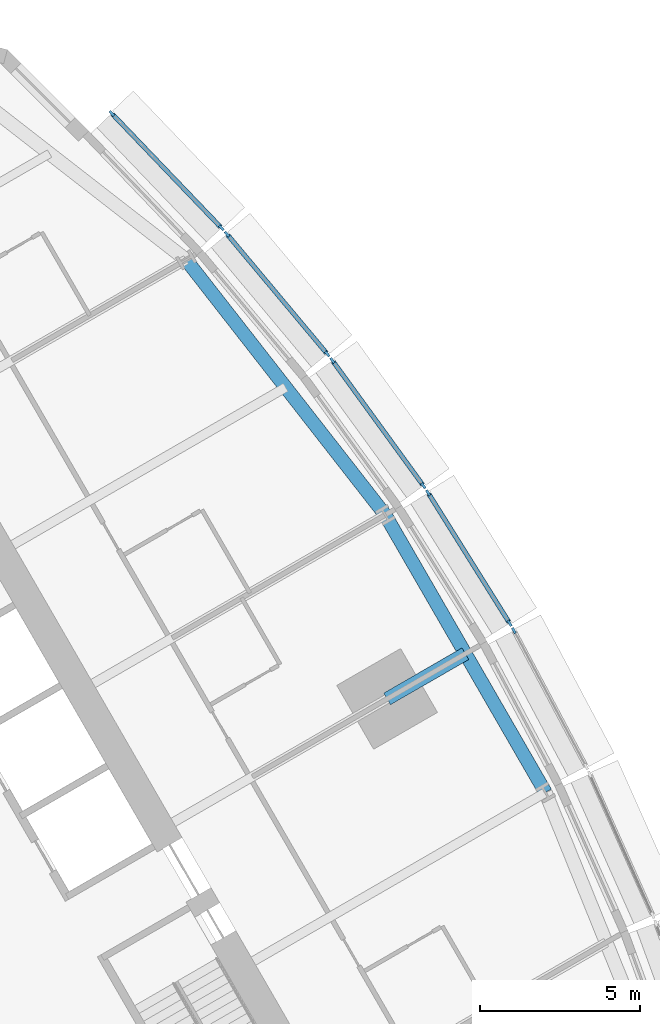
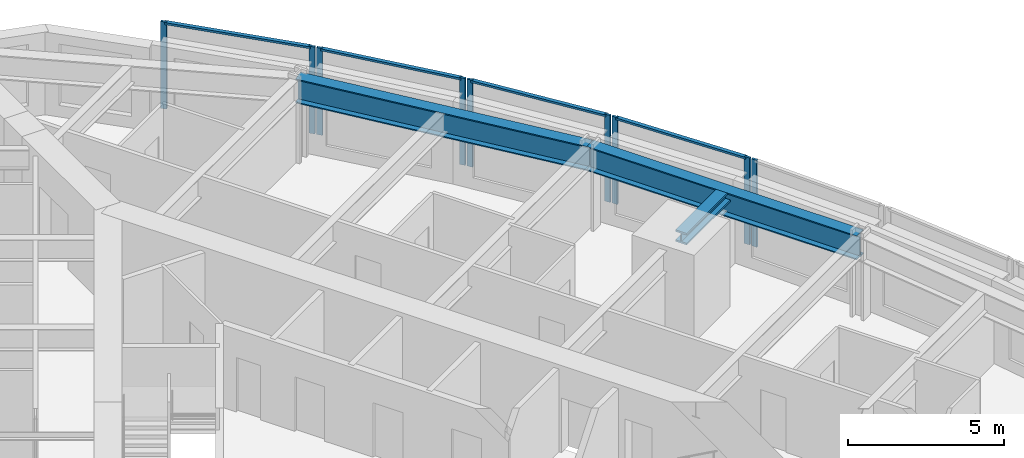
# One storey, part 5 of 14: 13 members, 3 beams, 5 elements without a shape of their own.
"""IFC4 building model written with IfcOpenShell, lengths in metres."""

from ifc_helpers import new_model, si_unit, direction, frame, origin, origin_2d, place, context, subcontext, project, spatial, rectangle, i_section, extrude, material, material_profile, profile_set, type_object, element, aggregate, save


model = new_model("IFC4")

# Units and contexts
model_context = context("Model", 3, precision=1e-05, world=origin(), true_north=direction((0.0, 1.0)))
body_context = subcontext(model_context, "Body", "Model", "MODEL_VIEW")
ifc_project = project(units=[si_unit("LENGTHUNIT", "METRE"), si_unit("AREAUNIT", "SQUARE_METRE"), si_unit("VOLUMEUNIT", "CUBIC_METRE"), si_unit("PLANEANGLEUNIT", "RADIAN"), si_unit("MASSUNIT", "GRAM", prefix="KILO")], contexts=[model_context])

# Site, building, storey
site_placement = place(None, origin())
site = spatial("IfcSite", under=ifc_project, at=site_placement, CompositionType="ELEMENT")
building_placement = place(site_placement, origin())
building = spatial("IfcBuilding", under=site, at=building_placement, Name="Trikona Tower", CompositionType="ELEMENT")
storey_placement = place(building_placement, frame((0.0, 0.0, 124.89990234375)))
storey = spatial("IfcBuildingStorey", under=building, at=storey_placement, Name="L32", CompositionType="ELEMENT", Elevation=124.89990234375)

# Curtain wall, member
ifc_material_1 = material(Name="Aluminium curtain wall system", Category="aluminium")
curtain_wall_type = type_object("IfcCurtainWallType", Name="Curtain wall DS2", PredefinedType="NOTDEFINED", material=ifc_material_1)
curtain_wall_1_placement = place(storey_placement, origin())
curtain_wall_1 = element("IfcCurtainWall", 1, at=curtain_wall_1_placement, inside=storey, type_object=curtain_wall_type, Name="Curtain wall DS2 L32", PredefinedType="NOTDEFINED")
ifc_material_2 = material(Name="Aluminium mullion, pale anodised", Category="aluminium")
ifc_material_profile_1 = material_profile(ifc_material_2, rectangle(XDim=0.080078125, YDim=0.199951171875, at=origin_2d()), Name="MUL-DS2")
ifc_profile_set_1 = profile_set([ifc_material_profile_1], Name="Aluminium mullion, pale anodised")
member_type_1 = type_object("IfcMemberType", Name="Mullion DS2 80x200", PredefinedType="MULLION", material=ifc_profile_set_1)
member_1_placement = place(storey_placement, frame((19.2666015625, 10.9716796875, 0.0), z_axis=(0.0, 0.0, 1.0), x_axis=(-0.882996107343, -0.469380308937, 0.0)))
member_1 = element("IfcMember", 2, at=member_1_placement, type_object=member_type_1, Name="CW-DS2 mullion 2", PredefinedType="MULLION", context=body_context, shape_type="SweptSolid", body=[
    extrude(rectangle(XDim=0.080078125, YDim=0.199951171875, at=origin_2d()), origin(), (0.0, 0.0, 1.0), 3.400146484375),
])
aggregate(curtain_wall_1, [member_1])

# Curtain wall, members
curtain_wall_2_placement = place(storey_placement, origin())
curtain_wall_2 = element("IfcCurtainWall", 3, at=curtain_wall_2_placement, inside=storey, type_object=curtain_wall_type, Name="Curtain wall DS2 L32", PredefinedType="NOTDEFINED")
member_2_placement = place(storey_placement, frame((19.135009765625, 11.199462890625, 0.0), z_axis=(0.0, 0.0, 1.0), x_axis=(-0.847998304006, -0.529998940002, 0.0)))
member_2 = element("IfcMember", 4, at=member_2_placement, type_object=member_type_1, Name="CW-DS2 mullion 1", PredefinedType="MULLION", context=body_context, shape_type="SweptSolid", body=[
    extrude(rectangle(XDim=0.080078125, YDim=0.199951171875, at=origin_2d()), origin(), (0.0, 0.0, 1.0), 3.400146484375),
])
member_3_placement = place(storey_placement, frame((16.589599609375, 15.2724609375, 0.0), z_axis=(0.0, 0.0, 1.0), x_axis=(-0.847998304006, -0.529998940002, 0.0)))
member_3 = element("IfcMember", 5, at=member_3_placement, type_object=member_type_1, Name="CW-DS2 mullion 2", PredefinedType="MULLION", context=body_context, shape_type="SweptSolid", body=[
    extrude(rectangle(XDim=0.080078125, YDim=0.199951171875, at=origin_2d()), origin(), (0.0, 0.0, 1.0), 3.400146484375),
])

curtain_wall_3_placement = place(storey_placement, origin())
curtain_wall_3 = element("IfcCurtainWall", 6, at=curtain_wall_3_placement, inside=storey, type_object=curtain_wall_type, Name="Curtain wall DS2 L32", PredefinedType="NOTDEFINED")
member_4_placement = place(storey_placement, frame((16.442626953125, 15.489990234375, 0.0), z_axis=(0.0, 0.0, 1.0), x_axis=(-0.80908576332, -0.587690588313, 0.0)))
member_4 = element("IfcMember", 7, at=member_4_placement, type_object=member_type_1, Name="CW-DS2 mullion 1", PredefinedType="MULLION", context=body_context, shape_type="SweptSolid", body=[
    extrude(rectangle(XDim=0.080078125, YDim=0.199951171875, at=origin_2d()), origin(), (0.0, 0.0, 1.0), 3.400146484375),
])
member_5_placement = place(storey_placement, frame((13.605712890625, 19.39599609375, 0.0), z_axis=(0.0, 0.0, 1.0), x_axis=(-0.80908576332, -0.587690588313, 0.0)))
member_5 = element("IfcMember", 8, at=member_5_placement, type_object=member_type_1, Name="CW-DS2 mullion 2", PredefinedType="MULLION", context=body_context, shape_type="SweptSolid", body=[
    extrude(rectangle(XDim=0.080078125, YDim=0.199951171875, at=origin_2d()), origin(), (0.0, 0.0, 1.0), 3.400146484375),
])

curtain_wall_4_placement = place(storey_placement, origin())
curtain_wall_4 = element("IfcCurtainWall", 9, at=curtain_wall_4_placement, inside=storey, type_object=curtain_wall_type, Name="Curtain wall DS2 L32", PredefinedType="NOTDEFINED")
member_6_placement = place(storey_placement, frame((13.44482421875, 19.602294921875, 0.0), z_axis=(0.0, 0.0, 1.0), x_axis=(-0.766866678271, -0.641806433248, 0.0)))
member_6 = element("IfcMember", 10, at=member_6_placement, type_object=member_type_1, Name="CW-DS2 mullion 1", PredefinedType="MULLION", context=body_context, shape_type="SweptSolid", body=[
    extrude(rectangle(XDim=0.080078125, YDim=0.199951171875, at=origin_2d()), origin(), (0.0, 0.0, 1.0), 3.400146484375),
])
member_7_placement = place(storey_placement, frame((10.315185546875, 23.34130859375, 0.0), z_axis=(0.0, 0.0, 1.0), x_axis=(-0.766866678271, -0.641806433248, 0.0)))
member_7 = element("IfcMember", 11, at=member_7_placement, type_object=member_type_1, Name="CW-DS2 mullion 2", PredefinedType="MULLION", context=body_context, shape_type="SweptSolid", body=[
    extrude(rectangle(XDim=0.080078125, YDim=0.199951171875, at=origin_2d()), origin(), (0.0, 0.0, 1.0), 3.400146484375),
])

curtain_wall_5_placement = place(storey_placement, origin())
curtain_wall_5 = element("IfcCurtainWall", 12, at=curtain_wall_5_placement, inside=storey, type_object=curtain_wall_type, Name="Curtain wall DS2 L32", PredefinedType="NOTDEFINED")
member_8_placement = place(storey_placement, frame((10.1416015625, 23.535400390625, 0.0), z_axis=(0.0, 0.0, 1.0), x_axis=(-0.722158330767, -0.691727797117, 0.0)))
member_8 = element("IfcMember", 13, at=member_8_placement, type_object=member_type_1, Name="CW-DS2 mullion 1", PredefinedType="MULLION", context=body_context, shape_type="SweptSolid", body=[
    extrude(rectangle(XDim=0.080078125, YDim=0.199951171875, at=origin_2d()), origin(), (0.0, 0.0, 1.0), 3.400146484375),
])
member_9_placement = place(storey_placement, frame((6.718994140625, 27.1083984375, 0.0), z_axis=(0.0, 0.0, 1.0), x_axis=(-0.722158330767, -0.691727797117, 0.0)))
member_9 = element("IfcMember", 14, at=member_9_placement, type_object=member_type_1, Name="CW-DS2 mullion 2", PredefinedType="MULLION", context=body_context, shape_type="SweptSolid", body=[
    extrude(rectangle(XDim=0.080078125, YDim=0.199951171875, at=origin_2d()), origin(), (0.0, 0.0, 1.0), 3.400146484375),
])

# Beams
ifc_material_3 = material(Name="Steel ASTM A992 Grade 50", Category="steel")
ifc_material_profile_2 = material_profile(ifc_material_3, i_section(OverallWidth=0.419189453125, OverallDepth=0.45458984375, WebThickness=0.042236328125, FlangeThickness=0.067626953125, at=origin_2d()), Name="W14X370")
ifc_profile_set_2 = profile_set([ifc_material_profile_2], Name="Steel ASTM A992 Grade 50")
beam_type_1 = type_object("IfcBeamType", Name="Steel beam W14x370 (apex bracket)", PredefinedType="BEAM", material=ifc_profile_set_2)
beam_1_placement = place(storey_placement, frame((15.311767578125, 8.84033203125, 3.0078125), z_axis=(0.86605005072, 0.499957307824, 0.0), x_axis=(-0.499957307824, 0.86605005072, 0.0)))
element("IfcBeam", 15, at=beam_1_placement, inside=storey, type_object=beam_type_1, Name="Cantilever bracket L33 F2", PredefinedType="BEAM", context=body_context, shape_type="SweptSolid", body=[
    extrude(i_section(OverallWidth=0.419189453125, OverallDepth=0.45458984375, WebThickness=0.042236328125, FlangeThickness=0.067626953125, at=origin_2d()), origin(), (0.0, 0.0, 1.0), 2.819580078125),
])
ifc_material_4 = material(Name="Steel ASTM A992 Grade 50", Category="steel")
ifc_material_profile_3 = material_profile(ifc_material_4, i_section(OverallWidth=0.424072265625, OverallDepth=0.947509765625, WebThickness=0.02392578125, FlangeThickness=0.042724609375, at=origin_2d()), Name="W36X302")
ifc_profile_set_3 = profile_set([ifc_material_profile_3], Name="Steel ASTM A992 Grade 50")
beam_type_2 = type_object("IfcBeamType", Name="Steel beam W36x302 (spandrel)", PredefinedType="SPANDREL", material=ifc_profile_set_3)
beam_2_placement = place(storey_placement, frame((20.253662109375, 5.919921875, 2.761474609375), z_axis=(-0.500004234368, 0.866022959057, 0.0), x_axis=(-0.866022959057, -0.500004234368, 0.0)))
element("IfcBeam", 16, at=beam_2_placement, inside=storey, type_object=beam_type_2, Name="Spandrel beam L33 F2-3", PredefinedType="SPANDREL", context=body_context, shape_type="SweptSolid", body=[
    extrude(i_section(OverallWidth=0.424072265625, OverallDepth=0.947509765625, WebThickness=0.02392578125, FlangeThickness=0.042724609375, at=origin_2d()), origin(), (0.0, 0.0, 1.0), 10.0),
])
beam_3_placement = place(storey_placement, frame((15.253662109375, 14.580078125, 2.761474609375), z_axis=(-0.615232009054, 0.788346101046, 0.0), x_axis=(-0.788346101046, -0.615232009054, 0.0)))
element("IfcBeam", 17, at=beam_3_placement, inside=storey, type_object=beam_type_2, Name="Spandrel beam L33 F2-4", PredefinedType="SPANDREL", context=body_context, shape_type="SweptSolid", body=[
    extrude(i_section(OverallWidth=0.424072265625, OverallDepth=0.947509765625, WebThickness=0.02392578125, FlangeThickness=0.042724609375, at=origin_2d()), origin(), (0.0, 0.0, 1.0), 10.09765625),
])

# Member
ifc_material_5 = material(Name="Aluminium transom, pale anodised", Category="aluminium")
ifc_material_profile_4 = material_profile(ifc_material_5, rectangle(XDim=0.139892578125, YDim=0.080078125, at=origin_2d()), Name="TRN-DS2")
ifc_profile_set_4 = profile_set([ifc_material_profile_4], Name="Aluminium transom, pale anodised")
member_type_2 = type_object("IfcMemberType", Name="Transom DS2 80x140", PredefinedType="USERDEFINED", material=ifc_profile_set_4)
member_10_placement = place(storey_placement, frame((19.114013671875, 11.2333984375, 3.360107421875), z_axis=(-0.530031463794, 0.847977975769, 0.0), x_axis=(-0.847977975769, -0.530031463794, 0.0)))
member_10 = element("IfcMember", 18, at=member_10_placement, type_object=member_type_2, Name="CW-DS2 transom 1.1", ObjectType="TRANSOM", PredefinedType="USERDEFINED", context=body_context, shape_type="SweptSolid", body=[
    extrude(rectangle(XDim=0.139892578125, YDim=0.080078125, at=origin_2d()), origin(), (0.0, 0.0, 1.0), 4.72314453125),
])

aggregate(curtain_wall_2, [member_2, member_3, member_10])

member_11_placement = place(storey_placement, frame((16.419189453125, 15.5224609375, 3.360107421875), z_axis=(-0.587694585883, 0.809082859616, 0.0), x_axis=(-0.809082859616, -0.587694585883, 0.0)))
member_11 = element("IfcMember", 19, at=member_11_placement, type_object=member_type_2, Name="CW-DS2 transom 1.1", ObjectType="TRANSOM", PredefinedType="USERDEFINED", context=body_context, shape_type="SweptSolid", body=[
    extrude(rectangle(XDim=0.139892578125, YDim=0.080078125, at=origin_2d()), origin(), (0.0, 0.0, 1.0), 4.747314453125),
])

aggregate(curtain_wall_3, [member_4, member_5, member_11])

member_12_placement = place(storey_placement, frame((13.4189453125, 19.6328125, 3.360107421875), z_axis=(-0.641770294892, 0.766896921753, 0.0), x_axis=(-0.766896921753, -0.641770294892, 0.0)))
member_12 = element("IfcMember", 20, at=member_12_placement, type_object=member_type_2, Name="CW-DS2 transom 1.1", ObjectType="TRANSOM", PredefinedType="USERDEFINED", context=body_context, shape_type="SweptSolid", body=[
    extrude(rectangle(XDim=0.139892578125, YDim=0.080078125, at=origin_2d()), origin(), (0.0, 0.0, 1.0), 4.7958984375),
])

aggregate(curtain_wall_4, [member_6, member_7, member_12])

member_13_placement = place(storey_placement, frame((10.114013671875, 23.564208984375, 3.360107421875), z_axis=(-0.691721246785, 0.722164605022, 0.0), x_axis=(-0.722164605022, -0.691721246785, 0.0)))
member_13 = element("IfcMember", 21, at=member_13_placement, type_object=member_type_2, Name="CW-DS2 transom 1.1", ObjectType="TRANSOM", PredefinedType="USERDEFINED", context=body_context, shape_type="SweptSolid", body=[
    extrude(rectangle(XDim=0.139892578125, YDim=0.080078125, at=origin_2d()), origin(), (0.0, 0.0, 1.0), 4.867919921875),
])

aggregate(curtain_wall_5, [member_8, member_9, member_13])

save(model, "model.ifc")
